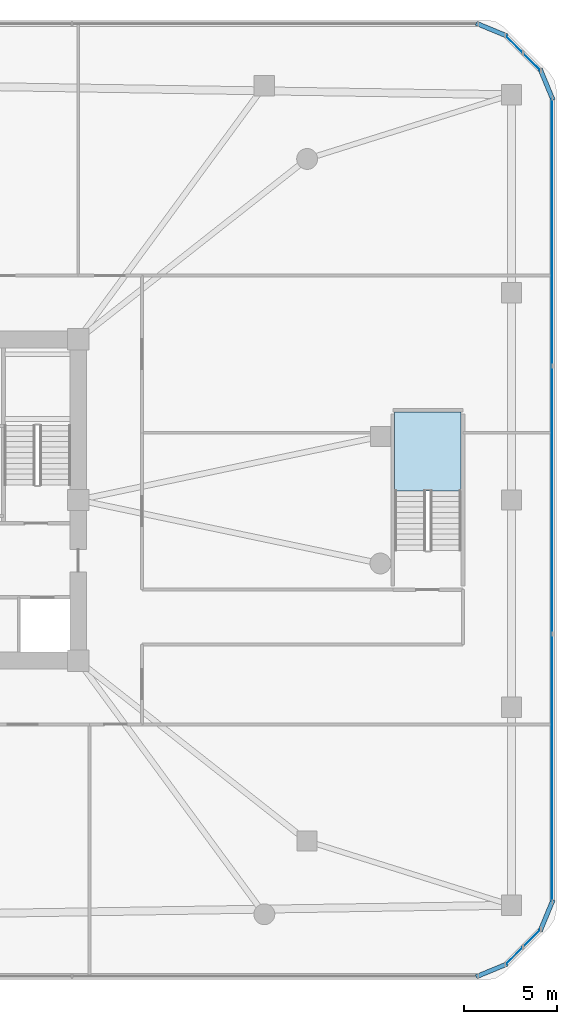
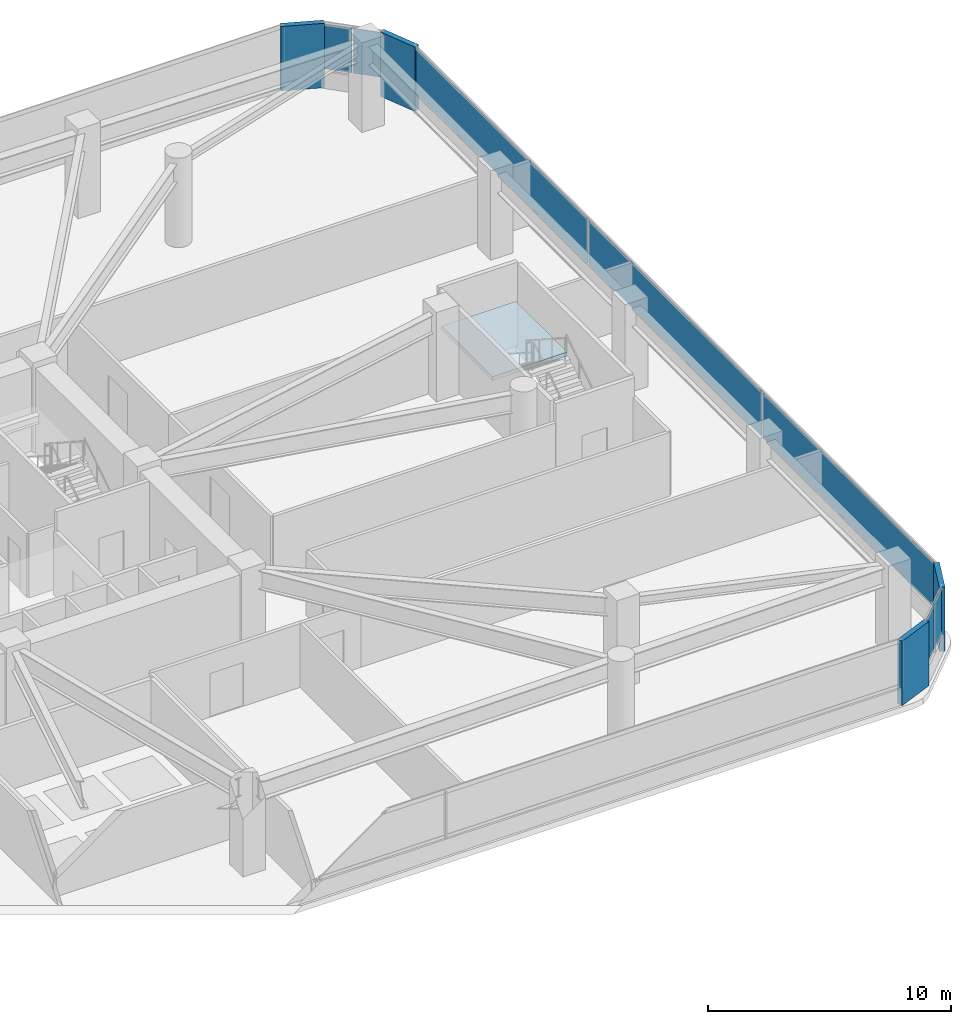
# One storey, part 15 of 21: 11 plates, 1 slab, 4 elements without a shape of their own.
"""IFC4 building model written with IfcOpenShell, lengths in metres."""

from ifc_helpers import new_model, si_unit, derived_unit, direction, frame, origin, origin_2d, place, context, subcontext, project, spatial, polyline, rectangle, outline, extrude, material, layer, layer_set, type_object, element, aggregate, save


model = new_model("IFC4")

# Units and contexts
model_context = context("Model", 3, precision=1e-05, world=origin(), true_north=direction((0.0, 1.0)))
body_context = subcontext(model_context, "Body", "Model", "MODEL_VIEW")
ifc_project = project(units=[si_unit("LENGTHUNIT", "METRE"), si_unit("AREAUNIT", "SQUARE_METRE"), si_unit("VOLUMEUNIT", "CUBIC_METRE"), si_unit("PLANEANGLEUNIT", "RADIAN"), si_unit("MASSUNIT", "GRAM", prefix="KILO"), derived_unit("THERMALTRANSMITTANCEUNIT", [(si_unit("POWERUNIT", "WATT"), 1), (si_unit("LENGTHUNIT", "METRE"), -2), (si_unit("THERMODYNAMICTEMPERATUREUNIT", "KELVIN"), -1)])], contexts=[model_context])

# Site, building, storey
site_placement = place(None, origin())
site = spatial("IfcSite", under=ifc_project, at=site_placement, CompositionType="ELEMENT")
building_placement = place(site_placement, origin())
building = spatial("IfcBuilding", under=site, at=building_placement, Name="Koralith Skygarden Medical Center", CompositionType="ELEMENT")
storey_placement = place(building_placement, frame((0.0, 0.0, 9.89990234375)))
storey = spatial("IfcBuildingStorey", under=building, at=storey_placement, Name="L02", CompositionType="ELEMENT", Elevation=9.89990234375)

# Curtain wall, plates
ifc_material_1 = material(Name="Clear Laminated Glass", Category="glass")
curtain_wall_type = type_object("IfcCurtainWallType", Name="CW-1 Transit & Podium Acoustic Curtain Wall", PredefinedType="NOTDEFINED", material=ifc_material_1)
curtain_wall_1_placement = place(storey_placement, origin())
curtain_wall_1 = element("IfcCurtainWall", 1, at=curtain_wall_1_placement, inside=storey, type_object=curtain_wall_type, Name="Curtain Wall CW-L02-SE", PredefinedType="NOTDEFINED")
ifc_layer_1 = layer(ifc_material_1, 0.030029296875)
ifc_layer_set_1 = layer_set([ifc_layer_1], Name="Clear Laminated Glass")
plate_type_1 = type_object("IfcPlateType", Name="CW-1 Hurricane Laminated IGU Panel 30", PredefinedType="CURTAIN_PANEL", material=ifc_layer_set_1)
plate_1_placement = place(storey_placement, frame((71.549072265625, 1.498046875, 0.920166015625), z_axis=(0.0, 0.0, 1.0), x_axis=(0.707106781187, 0.707106781187, 0.0)))
plate_1 = element("IfcPlate", 2, at=plate_1_placement, type_object=plate_type_1, Name="CW-L02-SE Glazed Panel 1", PredefinedType="CURTAIN_PANEL", context=body_context, shape_type="SweptSolid", body=[
    extrude(rectangle(XDim=1.258056640625, YDim=0.030029296875, at=origin_2d()), origin(), (0.0, 0.0, 1.0), 2.25),
])
plate_2_placement = place(storey_placement, frame((72.501953125, 2.450927734375, 0.920166015625), z_axis=(0.0, 0.0, 1.0), x_axis=(0.707106781187, 0.707106781187, 0.0)))
plate_2 = element("IfcPlate", 3, at=plate_2_placement, type_object=plate_type_1, Name="CW-L02-SE Glazed Panel 2", PredefinedType="CURTAIN_PANEL", context=body_context, shape_type="SweptSolid", body=[
    extrude(rectangle(XDim=1.258056640625, YDim=0.030029296875, at=origin_2d()), origin(), (0.0, 0.0, 1.0), 2.25),
])
aggregate(curtain_wall_1, [plate_1, plate_2])

curtain_wall_2_placement = place(storey_placement, origin())
curtain_wall_2 = element("IfcCurtainWall", 4, at=curtain_wall_2_placement, inside=storey, type_object=curtain_wall_type, Name="Curtain Wall CW-L02-E", PredefinedType="NOTDEFINED")
plate_3_placement = place(storey_placement, frame((73.580078125, 11.552978515625, 0.920166015625), z_axis=(0.0, 0.0, 1.0), x_axis=(0.0, 1.0, 0.0)))
plate_3 = element("IfcPlate", 5, at=plate_3_placement, type_object=plate_type_1, Name="CW-L02-E Glazed Panel 1", PredefinedType="CURTAIN_PANEL", context=body_context, shape_type="SweptSolid", body=[
    extrude(rectangle(XDim=14.257080078125, YDim=0.030029296875, at=origin_2d()), origin(), (0.0, 0.0, 1.0), 2.25),
])
plate_4_placement = place(storey_placement, frame((73.580078125, 25.89990234375, 0.920166015625), z_axis=(0.0, 0.0, 1.0), x_axis=(0.0, 1.0, 0.0)))
plate_4 = element("IfcPlate", 6, at=plate_4_placement, type_object=plate_type_1, Name="CW-L02-E Glazed Panel 2", PredefinedType="CURTAIN_PANEL", context=body_context, shape_type="SweptSolid", body=[
    extrude(rectangle(XDim=14.257080078125, YDim=0.030029296875, at=origin_2d()), origin(), (0.0, 0.0, 1.0), 2.25),
])
plate_5_placement = place(storey_placement, frame((73.580078125, 40.2470703125, 0.920166015625), z_axis=(0.0, 0.0, 1.0), x_axis=(0.0, 1.0, 0.0)))
plate_5 = element("IfcPlate", 7, at=plate_5_placement, type_object=plate_type_1, Name="CW-L02-E Glazed Panel 3", PredefinedType="CURTAIN_PANEL", context=body_context, shape_type="SweptSolid", body=[
    extrude(rectangle(XDim=14.257080078125, YDim=0.030029296875, at=origin_2d()), origin(), (0.0, 0.0, 1.0), 2.25),
])
aggregate(curtain_wall_2, [plate_3, plate_4, plate_5])

curtain_wall_3_placement = place(storey_placement, origin())
curtain_wall_3 = element("IfcCurtainWall", 8, at=curtain_wall_3_placement, inside=storey, type_object=curtain_wall_type, Name="Curtain Wall CW-L02-NE", PredefinedType="NOTDEFINED")
plate_6_placement = place(storey_placement, frame((72.501953125, 49.34912109375, 0.920166015625), z_axis=(0.0, 0.0, 1.0), x_axis=(-0.707106781187, 0.707106781187, 0.0)))
plate_6 = element("IfcPlate", 9, at=plate_6_placement, type_object=plate_type_1, Name="CW-L02-NE Glazed Panel 1", PredefinedType="CURTAIN_PANEL", context=body_context, shape_type="SweptSolid", body=[
    extrude(rectangle(XDim=1.258056640625, YDim=0.030029296875, at=origin_2d()), origin(), (0.0, 0.0, 1.0), 2.25),
])
plate_7_placement = place(storey_placement, frame((71.549072265625, 50.302001953125, 0.920166015625), z_axis=(0.0, 0.0, 1.0), x_axis=(-0.707106781187, 0.707106781187, 0.0)))
plate_7 = element("IfcPlate", 10, at=plate_7_placement, type_object=plate_type_1, Name="CW-L02-NE Glazed Panel 2", PredefinedType="CURTAIN_PANEL", context=body_context, shape_type="SweptSolid", body=[
    extrude(rectangle(XDim=1.258056640625, YDim=0.030029296875, at=origin_2d()), origin(), (0.0, 0.0, 1.0), 2.25),
])
aggregate(curtain_wall_3, [plate_6, plate_7])

# Stair, slab
ifc_material_2 = material(Name="Concrete C45/55", Category="concrete")
stair_type = type_object("IfcStairType", Name="Core Exit Dogleg Concrete Stair", PredefinedType="HALF_TURN_STAIR", material=ifc_material_2)
stair_placement = place(storey_placement, origin())
stair = element("IfcStair", 11, at=stair_placement, inside=storey, type_object=stair_type, Name="L02 Podium Smokeproof Exit Stair ST5", PredefinedType="HALF_TURN_STAIR")
ifc_layer_2 = layer(ifc_material_2, 0.199951171875)
ifc_layer_set_2 = layer_set([ifc_layer_2], Name="Concrete C45/55")
slab_type = type_object("IfcSlabType", Name="Core Exit Concrete Stair Landing 200", PredefinedType="LANDING", material=ifc_layer_set_2)
slab_placement = place(storey_placement, frame((0.0, 0.0, 2.050048828125)))
slab = element("IfcSlab", 12, at=slab_placement, type_object=slab_type, Name="ST5 landing 1", PredefinedType="LANDING", context=body_context, shape_type="SweptSolid", body=[
    extrude(outline(polyline([(68.699951171875, 26.389892578125), (68.699951171875, 30.60009765625), (65.14990234375, 30.60009765625), (65.14990234375, 26.389892578125), (68.699951171875, 26.389892578125)])), origin(), (0.0, 0.0, 1.0), 0.199951171875),
])
aggregate(stair, [slab])

# Plates
ifc_material_3 = material(Name="Warm Oolitic Limestone Cladding", Category="masonry")
ifc_layer_3 = layer(ifc_material_3, 0.239990234375)
ifc_layer_set_3 = layer_set([ifc_layer_3], Name="Warm Oolitic Limestone Cladding")
plate_type_2 = type_object("IfcPlateType", Name="Rounded-Corner Oolitic Limestone Cladding Panel 240", PredefinedType="USERDEFINED", material=ifc_layer_set_3)
for number, where, z_axis, x_axis, name in (
    (13, (70.345947265625, 0.719970703125, 0.0), (0.0, 0.0, 1.0), (0.92388487569, 0.382670532536, 0.0), "L02 Rounded-Corner Limestone Pier 1"),
    (14, (73.279052734375, 3.653076171875, 0.0), (0.0, 0.0, 1.0), (0.382670532536, 0.92388487569, 0.0), "L02 Rounded-Corner Limestone Pier 2"),
    (15, (73.279052734375, 48.14697265625, 0.0), (0.0, 0.0, 1.0), (-0.382670532536, 0.92388487569, 0.0), "L02 Rounded-Corner Limestone Pier 3"),
    (16, (70.345947265625, 51.080078125, 0.0), (0.0, 0.0, 1.0), (-0.92388487569, 0.382670532536, 0.0), "L02 Rounded-Corner Limestone Pier 4"),
):
    element("IfcPlate", number, at=place(storey_placement, frame(where, z_axis=z_axis, x_axis=x_axis)), inside=storey, type_object=plate_type_2, Name=name, ObjectType="LIMESTONE CLADDING", PredefinedType="USERDEFINED", context=body_context, shape_type="SweptSolid", body=[
        extrude(rectangle(XDim=1.81103515625, YDim=0.239990234375, at=origin_2d()), origin(), (0.0, 0.0, 1.0), 3.239990234375),
    ])

save(model, "model.ifc")
